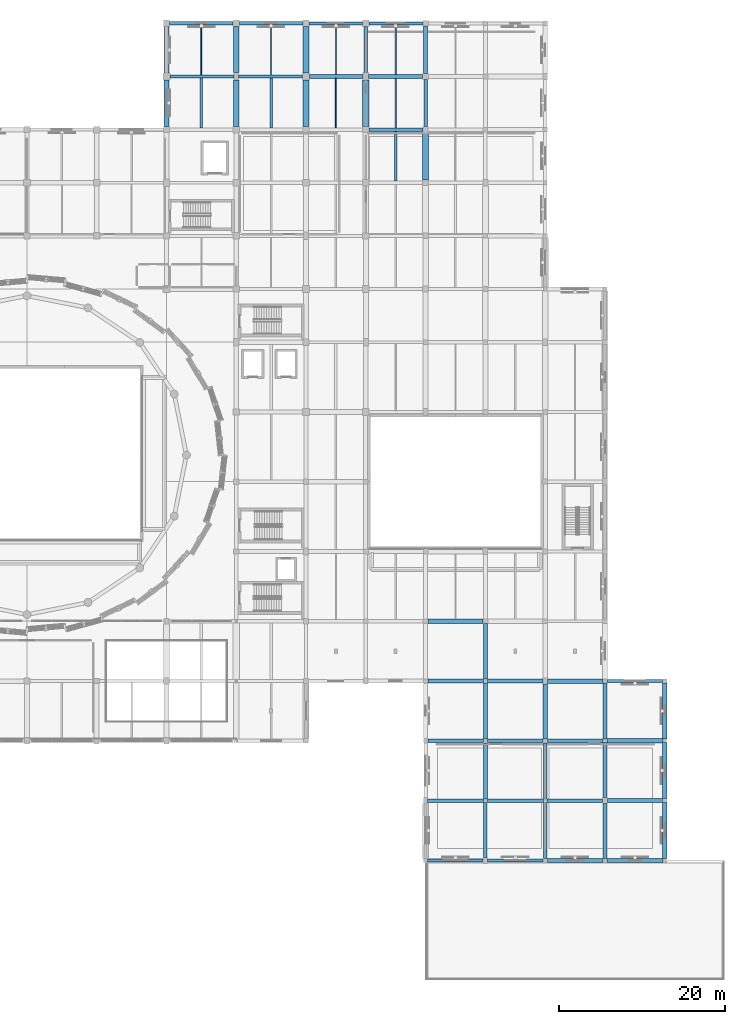
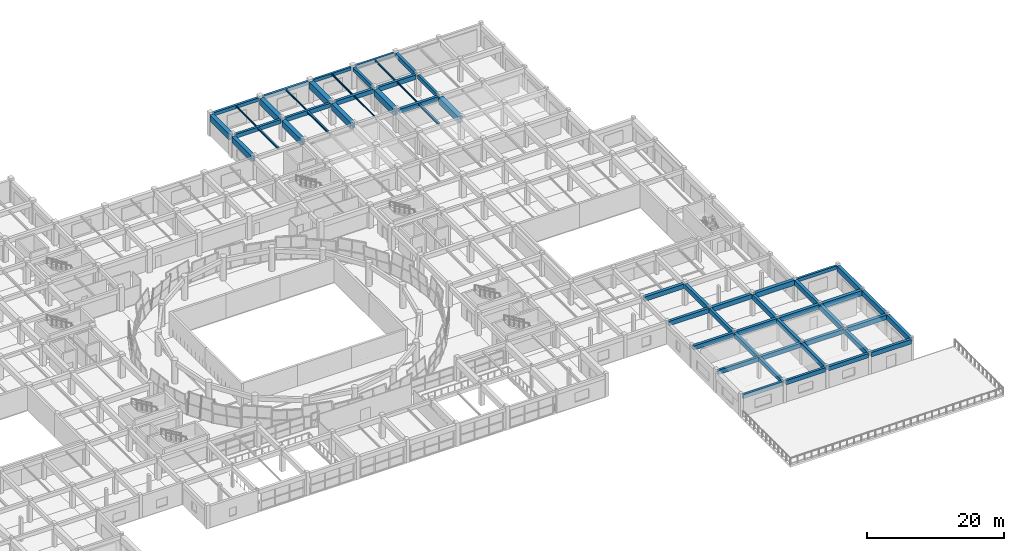
# One storey, part 38 of 71: 59 beams.
"""IFC4 building model written with IfcOpenShell, lengths in metres."""

import ifcopenshell
import ifcopenshell.guid

model = None  # the IFC model being written
_history = None  # IfcOwnerHistory: only IFC2X3 demands one
_inside = {}  # id of a spatial element -> (the spatial element, [elements in it])
_under = {}  # id of a project, library or spatial element -> (it, [spatial elements below it])
_declared = {}  # id of a project -> (the project, [libraries it declares])
_typed = {}  # id of a type object -> (the type object, [elements of that type])
_made_of = {}  # id of a material, layer set ... -> (it, [elements and type objects made of it])


def new_model(schema):
    """Start an empty IFC model of exactly this schema.

    Asked for "IFC4X3", IfcOpenShell would pick the latest addendum, in which some entities
    have other attributes; the version numbers below select the first issue.
    IFC2X3 requires an IfcOwnerHistory on every rooted entity: one is made here for all.
    """
    global model, _history
    if schema == "IFC4X3":
        model = ifcopenshell.file(schema_version=(4, 3, 0, 0))
    else:
        model = ifcopenshell.file(schema=schema)
    _inside.clear()
    _under.clear()
    _declared.clear()
    _typed.clear()
    _made_of.clear()
    _history = None
    if model.schema == "IFC2X3":
        org = make("IfcOrganization", Name="unknown")
        user = make(
            "IfcPersonAndOrganization",
            ThePerson=make("IfcPerson", FamilyName="unknown"),
            TheOrganization=org,
        )
        app = make(
            "IfcApplication",
            ApplicationDeveloper=org,
            Version="unknown",
            ApplicationFullName="unknown",
            ApplicationIdentifier="unknown",
        )
        _history = make(
            "IfcOwnerHistory",
            OwningUser=user,
            OwningApplication=app,
            ChangeAction="ADDED",
            CreationDate=0,
        )
    return model


def make(cls, **values):
    """One entity of the class cls with the attributes given. An attribute that is None is left unset."""
    return model.create_entity(
        cls, **{name: value for name, value in values.items() if value is not None}
    )


def rooted(cls, **values):
    """An entity with a GlobalId (a new one), such as an element, a storey or a relation."""
    return make(cls, GlobalId=ifcopenshell.guid.new(), OwnerHistory=_history, **values)


def si_unit(unit_type, name, prefix=None):
    """IfcSIUnit, for example si_unit("LENGTHUNIT", "METRE", prefix="MILLI")."""
    return make("IfcSIUnit", UnitType=unit_type, Prefix=prefix, Name=name)


def assignment(units):
    """IfcUnitAssignment: the units of a project."""
    return None if units is None else make("IfcUnitAssignment", Units=units)


def point(xyz):
    """IfcCartesianPoint."""
    return None if xyz is None else make("IfcCartesianPoint", Coordinates=xyz)


def direction(xyz):
    """IfcDirection."""
    return None if xyz is None else make("IfcDirection", DirectionRatios=xyz)


def frame(location, z_axis=None, x_axis=None):
    """IfcAxis2Placement3D, a coordinate frame: its origin and axes. An axis left out is left unset."""
    return make(
        "IfcAxis2Placement3D",
        Location=point(location),
        Axis=direction(z_axis),
        RefDirection=direction(x_axis),
    )


def frame_2d(location, x_axis=None):
    """IfcAxis2Placement2D, a coordinate frame in the plane: its origin and x axis."""
    return make(
        "IfcAxis2Placement2D", Location=point(location), RefDirection=direction(x_axis)
    )


def origin():
    """The frame at (0, 0, 0) with its axes left unset."""
    return frame((0.0, 0.0, 0.0))


def origin_2d():
    """The frame at (0, 0) in the plane with its x axis left unset."""
    return frame_2d((0.0, 0.0))


def place(relative_to, where):
    """IfcLocalPlacement: puts the frame where relative to a parent placement (None: the world)."""
    return make(
        "IfcLocalPlacement", PlacementRelTo=relative_to, RelativePlacement=where
    )


def context(
    kind, dimensions, precision=None, world=None, true_north=None, identifier=None
):
    """IfcGeometricRepresentationContext, for example the 3D "Model" context."""
    return make(
        "IfcGeometricRepresentationContext",
        ContextIdentifier=identifier,
        ContextType=kind,
        CoordinateSpaceDimension=dimensions,
        Precision=precision,
        WorldCoordinateSystem=world,
        TrueNorth=true_north,
    )


def subcontext(parent, identifier, kind, view, scale=None):
    """IfcGeometricRepresentationSubContext, for example "Body" below "Model"."""
    return make(
        "IfcGeometricRepresentationSubContext",
        ContextIdentifier=identifier,
        ContextType=kind,
        ParentContext=parent,
        TargetScale=scale,
        TargetView=view,
    )


def project(units=None, contexts=None):
    """IfcProject with its units and contexts."""
    return rooted(
        "IfcProject",
        Name="project",
        RepresentationContexts=contexts,
        UnitsInContext=assignment(units),
    )


def spatial(cls, under=None, at=None, **own):
    """A site, building, storey or space (cls), placed at a placement, below another one or the project."""
    s = rooted(cls, ObjectPlacement=at, **own)
    if under is not None:
        _under.setdefault(under.id(), (under, []))[1].append(s)
    return s


def profile(cls, at=None, kind="AREA", **sizes):
    """A parametric profile (cls). Its sizes go by their IFC names, for example OverallWidth=200.0."""
    return make(cls, ProfileType=kind, Position=at, **sizes)


def rectangle(**sizes):
    """IfcRectangleProfileDef."""
    return profile("IfcRectangleProfileDef", **sizes)


def i_section(**sizes):
    """IfcIShapeProfileDef."""
    return profile("IfcIShapeProfileDef", **sizes)


def extrude(swept, where, along, depth):
    """IfcExtrudedAreaSolid: the profile swept, set in the frame where, extruded along a direction by depth."""
    return make(
        "IfcExtrudedAreaSolid",
        SweptArea=swept,
        Position=where,
        ExtrudedDirection=direction(along),
        Depth=depth,
    )


def shape(context_of_items, identifier, shape_type, items):
    """IfcShapeRepresentation: the items that make up one representation, for example the "Body"."""
    return make(
        "IfcShapeRepresentation",
        ContextOfItems=context_of_items,
        RepresentationIdentifier=identifier,
        RepresentationType=shape_type,
        Items=items,
    )


def material(Name=None, Category=None):
    """IfcMaterial."""
    return make("IfcMaterial", Name=Name, Category=Category)


def material_profile(
    of_material, cross_section, Name=None, Category=None, Priority=None
):
    """IfcMaterialProfile: a cross section and its material."""
    return make(
        "IfcMaterialProfile",
        Name=Name,
        Material=of_material,
        Profile=cross_section,
        Priority=Priority,
        Category=Category,
    )


def profile_set(profiles, Name=None, composite=None):
    """IfcMaterialProfileSet."""
    return make(
        "IfcMaterialProfileSet",
        Name=Name,
        MaterialProfiles=profiles,
        CompositeProfile=composite,
    )


def made_of(thing, what):
    """Note that an element or type object is made of a material, layer set ...; save() writes the relation."""
    if what is not None:
        _made_of.setdefault(what.id(), (what, []))[1].append(thing)
    return thing


def type_object(cls, material=None, **own):
    """A type object (cls), such as IfcWallType, which elements share."""
    return made_of(rooted(cls, **own), material)


def element(
    cls,
    number,
    at=None,
    inside=None,
    cuts=None,
    type_object=None,
    material=None,
    context=None,
    identifier="Body",
    shape_type=None,
    held_by="IfcProductDefinitionShape",
    body=None,
    shapes=None,
    **own,
):
    """One element of the class cls, such as IfcWall. Its Tag is "e" and its number.

    at: its placement. inside: the storey or other place that contains it. cuts: it is an
    opening in that element (IfcRelVoidsElement). A single representation is given by context,
    identifier, shape_type and body (its items); several are given by shapes. held_by: the class
    of the entity that holds the representations. save() writes the other relations.
    """
    e = rooted(cls, Tag="e%d" % number, ObjectPlacement=at, **own)
    if body is not None:
        shapes = [shape(context, identifier, shape_type, body)]
    if shapes is not None:
        e.Representation = make(held_by, Representations=shapes)
    if inside is not None:
        _inside.setdefault(inside.id(), (inside, []))[1].append(e)
    if cuts is not None:
        rooted(
            "IfcRelVoidsElement", RelatingBuildingElement=cuts, RelatedOpeningElement=e
        )
    if type_object is not None:
        _typed.setdefault(type_object.id(), (type_object, []))[1].append(e)
    return made_of(e, material)


def aggregate(whole, parts):
    """IfcRelAggregates: a whole, such as a stair, and the parts it consists of."""
    return rooted("IfcRelAggregates", RelatingObject=whole, RelatedObjects=parts)


def save(model, path):
    """Write the relations noted so far, then the file.

    IfcRelAggregates (storeys below a building ...), IfcRelContainedInSpatialStructure (elements
    in a storey), IfcRelDefinesByType, IfcRelAssociatesMaterial and IfcRelDeclares: one each for
    every whole, place, type object, material and project.
    """
    for whole, parts in _under.values():
        aggregate(whole, parts)
    for where, things in _inside.values():
        rooted(
            "IfcRelContainedInSpatialStructure",
            RelatedElements=things,
            RelatingStructure=where,
        )
    for kind, things in _typed.values():
        rooted("IfcRelDefinesByType", RelatedObjects=things, RelatingType=kind)
    for what, things in _made_of.values():
        rooted("IfcRelAssociatesMaterial", RelatedObjects=things, RelatingMaterial=what)
    for by, libraries in _declared.values():
        rooted("IfcRelDeclares", RelatingContext=by, RelatedDefinitions=libraries)
    model.write(path)


model = new_model("IFC4")

# Units and contexts
model_context = context("Model", 3, precision=1e-05, world=origin(), true_north=direction((0.0, 1.0)))
body_context = subcontext(model_context, "Body", "Model", "MODEL_VIEW")
ifc_project = project(units=[si_unit("LENGTHUNIT", "METRE"), si_unit("AREAUNIT", "SQUARE_METRE"), si_unit("VOLUMEUNIT", "CUBIC_METRE"), si_unit("PLANEANGLEUNIT", "RADIAN"), si_unit("MASSUNIT", "GRAM", prefix="KILO")], contexts=[model_context])

# Site, building, storey
site_placement = place(None, origin())
site = spatial("IfcSite", under=ifc_project, at=site_placement, CompositionType="ELEMENT")
building_placement = place(site_placement, origin())
building = spatial("IfcBuilding", under=site, at=building_placement, Name="Korsvaeld Concert Hall", CompositionType="ELEMENT")
storey_placement = place(building_placement, frame((0.0, 0.0, 4.800048828125)))
storey = spatial("IfcBuildingStorey", under=building, at=storey_placement, Name="L01", CompositionType="ELEMENT", Elevation=4.800048828125)

# Beams
ifc_material_1 = material(Name="Concrete C35/45", Category="concrete")
ifc_material_profile_1 = material_profile(ifc_material_1, rectangle(XDim=0.35009765625, YDim=0.60009765625, at=origin_2d()), Name="RC 350x600")
ifc_profile_set_1 = profile_set([ifc_material_profile_1], Name="Concrete C35/45")
beam_type_1 = type_object("IfcBeamType", Name="BM-RC-350x600", PredefinedType="T_BEAM", material=ifc_profile_set_1)
beam_1_placement = place(storey_placement, frame((153.85009765625, 36.0, 3.5400390625), z_axis=(1.0, 0.0, 0.0), x_axis=(0.0, 1.0, 0.0)))
element("IfcBeam", 1, at=beam_1_placement, inside=storey, type_object=beam_type_1, Name="Primary girder 21-22/F L01", PredefinedType="T_BEAM", context=body_context, shape_type="SweptSolid", body=[
    extrude(rectangle(XDim=0.35009765625, YDim=0.60009765625, at=origin_2d()), origin(), (0.0, 0.0, 1.0), 6.699951171875),
])
ifc_material_profile_2 = material_profile(ifc_material_1, rectangle(XDim=0.39990234375, YDim=0.699951171875, at=origin_2d()), Name="RC 400x700")
ifc_profile_set_2 = profile_set([ifc_material_profile_2], Name="Concrete C35/45")
beam_type_2 = type_object("IfcBeamType", Name="BM-RC-400x700", PredefinedType="T_BEAM", material=ifc_profile_set_2)
beam_2_placement = place(storey_placement, frame((132.25, 14.39990234375, 3.489990234375), z_axis=(1.0, 0.0, 0.0), x_axis=(0.0, 1.0, 0.0)))
element("IfcBeam", 2, at=beam_2_placement, inside=storey, type_object=beam_type_2, Name="Primary girder 18-19/C L01", PredefinedType="T_BEAM", context=body_context, shape_type="SweptSolid", body=[
    extrude(rectangle(XDim=0.39990234375, YDim=0.699951171875, at=origin_2d()), origin(), (0.0, 0.0, 1.0), 6.675048828125),
])
beam_3_placement = place(storey_placement, frame((101.199951171875, 108.800048828125, 3.489990234375), z_axis=(1.0, 0.0, 0.0), x_axis=(0.0, 1.0, 0.0)))
element("IfcBeam", 3, at=beam_3_placement, inside=storey, type_object=beam_type_2, Name="Primary girder 14-15/R L01", PredefinedType="T_BEAM", context=body_context, shape_type="SweptSolid", body=[
    extrude(rectangle(XDim=0.39990234375, YDim=0.699951171875, at=origin_2d()), origin(), (0.0, 0.0, 1.0), 7.699951171875),
])
beam_4_placement = place(storey_placement, frame((124.800048828125, 109.25, 3.489990234375), z_axis=(0.0, 1.0, 0.0), x_axis=(-1.0, 0.0, 0.0)))
element("IfcBeam", 4, at=beam_4_placement, inside=storey, type_object=beam_type_2, Name="Primary girder 17/R-S L01", PredefinedType="T_BEAM", context=body_context, shape_type="SweptSolid", body=[
    extrude(rectangle(XDim=0.39990234375, YDim=0.699951171875, at=origin_2d()), origin(), (0.0, 0.0, 1.0), 5.574951171875),
])
beam_5_placement = place(storey_placement, frame((132.0, 102.800048828125, 3.489990234375), z_axis=(0.0, 1.0, 0.0), x_axis=(-1.0, 0.0, 0.0)))
element("IfcBeam", 5, at=beam_5_placement, inside=storey, type_object=beam_type_2, Name="Primary girder 18/Q-R L01", PredefinedType="T_BEAM", context=body_context, shape_type="SweptSolid", body=[
    extrude(rectangle(XDim=0.39990234375, YDim=0.699951171875, at=origin_2d()), origin(), (0.0, 0.0, 1.0), 5.64990234375),
])
beam_6_placement = place(storey_placement, frame((139.199951171875, 14.77490234375, 3.489990234375), z_axis=(0.0, 1.0, 0.0), x_axis=(-1.0, 0.0, 0.0)))
element("IfcBeam", 6, at=beam_6_placement, inside=storey, type_object=beam_type_2, Name="Primary girder 19/C-D L01", PredefinedType="T_BEAM", context=body_context, shape_type="SweptSolid", body=[
    extrude(rectangle(XDim=0.39990234375, YDim=0.699951171875, at=origin_2d()), origin(), (0.0, 0.0, 1.0), 6.60009765625),
])
ifc_material_profile_3 = material_profile(ifc_material_1, rectangle(XDim=0.39990234375, YDim=0.75, at=origin_2d()), Name="RC 400x750")
ifc_profile_set_3 = profile_set([ifc_material_profile_3], Name="Concrete C35/45")
beam_type_3 = type_object("IfcBeamType", Name="BM-RC-400x750", PredefinedType="T_BEAM", material=ifc_profile_set_3)
beam_7_placement = place(storey_placement, frame((139.47509765625, 14.39990234375, 3.46484375), z_axis=(1.0, 0.0, 0.0), x_axis=(0.0, 1.0, 0.0)))
element("IfcBeam", 7, at=beam_7_placement, inside=storey, type_object=beam_type_3, Name="Primary girder 19-20/C L01", PredefinedType="T_BEAM", context=body_context, shape_type="SweptSolid", body=[
    extrude(rectangle(XDim=0.39990234375, YDim=0.75, at=origin_2d()), origin(), (0.0, 0.0, 1.0), 6.6748046875),
])
beam_8_placement = place(storey_placement, frame((132.25, 21.60009765625, 3.46484375), z_axis=(1.0, 0.0, 0.0), x_axis=(0.0, 1.0, 0.0)))
element("IfcBeam", 8, at=beam_8_placement, inside=storey, type_object=beam_type_3, Name="Primary girder 18-19/D L01", PredefinedType="T_BEAM", context=body_context, shape_type="SweptSolid", body=[
    extrude(rectangle(XDim=0.39990234375, YDim=0.75, at=origin_2d()), origin(), (0.0, 0.0, 1.0), 6.72509765625),
])
beam_9_placement = place(storey_placement, frame((109.5, 108.800048828125, 3.46484375), z_axis=(1.0, 0.0, 0.0), x_axis=(0.0, 1.0, 0.0)))
element("IfcBeam", 9, at=beam_9_placement, inside=storey, type_object=beam_type_3, Name="Primary girder 15-16/R L01", PredefinedType="T_BEAM", context=body_context, shape_type="SweptSolid", body=[
    extrude(rectangle(XDim=0.39990234375, YDim=0.75, at=origin_2d()), origin(), (0.0, 0.0, 1.0), 7.699951171875),
])
ifc_material_profile_4 = material_profile(ifc_material_1, rectangle(XDim=0.449951171875, YDim=0.75, at=origin_2d()), Name="RC 450x750")
ifc_profile_set_4 = profile_set([ifc_material_profile_4], Name="Concrete C35/45")
beam_type_4 = type_object("IfcBeamType", Name="BM-RC-450x750", PredefinedType="T_BEAM", material=ifc_profile_set_4)
beam_10_placement = place(storey_placement, frame((146.64990234375, 14.39990234375, 3.46484375), z_axis=(1.0, 0.0, 0.0), x_axis=(0.0, 1.0, 0.0)))
element("IfcBeam", 10, at=beam_10_placement, inside=storey, type_object=beam_type_4, Name="Primary girder 20-21/C L01", PredefinedType="T_BEAM", context=body_context, shape_type="SweptSolid", body=[
    extrude(rectangle(XDim=0.449951171875, YDim=0.75, at=origin_2d()), origin(), (0.0, 0.0, 1.0), 6.72509765625),
])
beam_11_placement = place(storey_placement, frame((139.425048828125, 21.60009765625, 3.46484375), z_axis=(1.0, 0.0, 0.0), x_axis=(0.0, 1.0, 0.0)))
element("IfcBeam", 11, at=beam_11_placement, inside=storey, type_object=beam_type_4, Name="Primary girder 19-20/D L01", PredefinedType="T_BEAM", context=body_context, shape_type="SweptSolid", body=[
    extrude(rectangle(XDim=0.449951171875, YDim=0.75, at=origin_2d()), origin(), (0.0, 0.0, 1.0), 6.75),
])
beam_12_placement = place(storey_placement, frame((132.27490234375, 28.800048828125, 3.46484375), z_axis=(1.0, 0.0, 0.0), x_axis=(0.0, 1.0, 0.0)))
element("IfcBeam", 12, at=beam_12_placement, inside=storey, type_object=beam_type_4, Name="Primary girder 18-19/E L01", PredefinedType="T_BEAM", context=body_context, shape_type="SweptSolid", body=[
    extrude(rectangle(XDim=0.449951171875, YDim=0.75, at=origin_2d()), origin(), (0.0, 0.0, 1.0), 6.675048828125),
])
beam_13_placement = place(storey_placement, frame((125.175048828125, 102.39990234375, 3.46484375), z_axis=(1.0, 0.0, 0.0), x_axis=(0.0, 1.0, 0.0)))
element("IfcBeam", 13, at=beam_13_placement, inside=storey, type_object=beam_type_4, Name="Primary girder 17-18/Q L01", PredefinedType="T_BEAM", context=body_context, shape_type="SweptSolid", body=[
    extrude(rectangle(XDim=0.449951171875, YDim=0.75, at=origin_2d()), origin(), (0.0, 0.0, 1.0), 6.52490234375),
])
beam_14_placement = place(storey_placement, frame((118.0, 108.800048828125, 3.46484375), z_axis=(1.0, 0.0, 0.0), x_axis=(0.0, 1.0, 0.0)))
element("IfcBeam", 14, at=beam_14_placement, inside=storey, type_object=beam_type_4, Name="Primary girder 16-17/R L01", PredefinedType="T_BEAM", context=body_context, shape_type="SweptSolid", body=[
    extrude(rectangle(XDim=0.449951171875, YDim=0.75, at=origin_2d()), origin(), (0.0, 0.0, 1.0), 6.449951171875),
])
ifc_material_profile_5 = material_profile(ifc_material_1, rectangle(XDim=0.449951171875, YDim=0.800048828125, at=origin_2d()), Name="RC 450x800")
ifc_profile_set_5 = profile_set([ifc_material_profile_5], Name="Concrete C35/45")
beam_type_5 = type_object("IfcBeamType", Name="BM-RC-450x800", PredefinedType="T_BEAM", material=ifc_profile_set_5)
beam_15_placement = place(storey_placement, frame((153.824951171875, 14.39990234375, 3.43994140625), z_axis=(1.0, 0.0, 0.0), x_axis=(0.0, 1.0, 0.0)))
element("IfcBeam", 15, at=beam_15_placement, inside=storey, type_object=beam_type_5, Name="Primary girder 21-22/C L01", PredefinedType="T_BEAM", context=body_context, shape_type="SweptSolid", body=[
    extrude(rectangle(XDim=0.449951171875, YDim=0.800048828125, at=origin_2d()), origin(), (0.0, 0.0, 1.0), 6.75),
])
for number, where, z_axis, x_axis, name in (
    (16, (146.625, 21.60009765625, 3.43994140625), (1.0, 0.0, 0.0), (0.0, 1.0, 0.0), "Primary girder 20-21/D L01"),
    (17, (139.449951171875, 28.800048828125, 3.43994140625), (1.0, 0.0, 0.0), (0.0, 1.0, 0.0), "Primary girder 19-20/E L01"),
):
    element("IfcBeam", number, at=place(storey_placement, frame(where, z_axis=z_axis, x_axis=x_axis)), inside=storey, type_object=beam_type_5, Name=name, PredefinedType="T_BEAM", context=body_context, shape_type="SweptSolid", body=[
        extrude(rectangle(XDim=0.449951171875, YDim=0.800048828125, at=origin_2d()), origin(), (0.0, 0.0, 1.0), 6.699951171875),
    ])
beam_16_placement = place(storey_placement, frame((132.27490234375, 36.0, 3.43994140625), z_axis=(1.0, 0.0, 0.0), x_axis=(0.0, 1.0, 0.0)))
element("IfcBeam", 18, at=beam_16_placement, inside=storey, type_object=beam_type_5, Name="Primary girder 18-19/F L01", PredefinedType="T_BEAM", context=body_context, shape_type="SweptSolid", body=[
    extrude(rectangle(XDim=0.449951171875, YDim=0.800048828125, at=origin_2d()), origin(), (0.0, 0.0, 1.0), 6.7001953125),
])
beam_17_placement = place(storey_placement, frame((125.14990234375, 108.800048828125, 3.43994140625), z_axis=(1.0, 0.0, 0.0), x_axis=(0.0, 1.0, 0.0)))
element("IfcBeam", 19, at=beam_17_placement, inside=storey, type_object=beam_type_5, Name="Primary girder 17-18/R L01", PredefinedType="T_BEAM", context=body_context, shape_type="SweptSolid", body=[
    extrude(rectangle(XDim=0.449951171875, YDim=0.800048828125, at=origin_2d()), origin(), (0.0, 0.0, 1.0), 6.5),
])
beam_18_placement = place(storey_placement, frame((132.0, 109.14990234375, 3.43994140625), z_axis=(0.0, 1.0, 0.0), x_axis=(-1.0, 0.0, 0.0)))
element("IfcBeam", 20, at=beam_18_placement, inside=storey, type_object=beam_type_5, Name="Primary girder 18/R-S L01", PredefinedType="T_BEAM", context=body_context, shape_type="SweptSolid", body=[
    extrude(rectangle(XDim=0.449951171875, YDim=0.800048828125, at=origin_2d()), origin(), (0.0, 0.0, 1.0), 5.72509765625),
])
for number, where, z_axis, x_axis, name in (
    (21, (139.199951171875, 21.824951171875, 3.43994140625), (0.0, 1.0, 0.0), (-1.0, 0.0, 0.0), "Primary girder 19/D-E L01"),
    (22, (146.39990234375, 14.64990234375, 3.43994140625), (0.0, 1.0, 0.0), (-1.0, 0.0, 0.0), "Primary girder 20/C-D L01"),
):
    element("IfcBeam", number, at=place(storey_placement, frame(where, z_axis=z_axis, x_axis=x_axis)), inside=storey, type_object=beam_type_5, Name=name, PredefinedType="T_BEAM", context=body_context, shape_type="SweptSolid", body=[
        extrude(rectangle(XDim=0.449951171875, YDim=0.800048828125, at=origin_2d()), origin(), (0.0, 0.0, 1.0), 6.72509765625),
    ])
ifc_material_2 = material(Name="Concrete C40/50", Category="concrete")
ifc_material_profile_6 = material_profile(ifc_material_2, rectangle(XDim=0.449951171875, YDim=0.85009765625, at=origin_2d()), Name="RC 450x850")
ifc_profile_set_6 = profile_set([ifc_material_profile_6], Name="Concrete C40/50")
beam_type_6 = type_object("IfcBeamType", Name="BM-RC-450x850", PredefinedType="T_BEAM", material=ifc_profile_set_6)
beam_19_placement = place(storey_placement, frame((139.199951171875, 29.050048828125, 3.4150390625), z_axis=(0.0, 1.0, 0.0), x_axis=(-1.0, 0.0, 0.0)))
element("IfcBeam", 23, at=beam_19_placement, inside=storey, type_object=beam_type_6, Name="Primary girder 19/E-F L01", PredefinedType="T_BEAM", context=body_context, shape_type="SweptSolid", body=[
    extrude(rectangle(XDim=0.449951171875, YDim=0.85009765625, at=origin_2d()), origin(), (0.0, 0.0, 1.0), 6.724853515625),
])
beam_20_placement = place(storey_placement, frame((146.39990234375, 21.824951171875, 3.4150390625), z_axis=(0.0, 1.0, 0.0), x_axis=(-1.0, 0.0, 0.0)))
element("IfcBeam", 24, at=beam_20_placement, inside=storey, type_object=beam_type_6, Name="Primary girder 20/D-E L01", PredefinedType="T_BEAM", context=body_context, shape_type="SweptSolid", body=[
    extrude(rectangle(XDim=0.449951171875, YDim=0.85009765625, at=origin_2d()), origin(), (0.0, 0.0, 1.0), 6.72509765625),
])
beam_21_placement = place(storey_placement, frame((153.60009765625, 14.625, 3.4150390625), z_axis=(0.0, 1.0, 0.0), x_axis=(-1.0, 0.0, 0.0)))
element("IfcBeam", 25, at=beam_21_placement, inside=storey, type_object=beam_type_6, Name="Primary girder 21/C-D L01", PredefinedType="T_BEAM", context=body_context, shape_type="SweptSolid", body=[
    extrude(rectangle(XDim=0.449951171875, YDim=0.85009765625, at=origin_2d()), origin(), (0.0, 0.0, 1.0), 6.60009765625),
])
ifc_material_profile_7 = material_profile(ifc_material_2, rectangle(XDim=0.5, YDim=0.800048828125, at=origin_2d()), Name="RC 500x800")
ifc_profile_set_7 = profile_set([ifc_material_profile_7], Name="Concrete C40/50")
beam_type_7 = type_object("IfcBeamType", Name="BM-RC-500x800", PredefinedType="T_BEAM", material=ifc_profile_set_7)
beam_22_placement = place(storey_placement, frame((153.875, 21.60009765625, 3.43994140625), z_axis=(1.0, 0.0, 0.0), x_axis=(0.0, 1.0, 0.0)))
element("IfcBeam", 26, at=beam_22_placement, inside=storey, type_object=beam_type_7, Name="Primary girder 21-22/D L01", PredefinedType="T_BEAM", context=body_context, shape_type="SweptSolid", body=[
    extrude(rectangle(XDim=0.5, YDim=0.800048828125, at=origin_2d()), origin(), (0.0, 0.0, 1.0), 6.675048828125),
])
beam_23_placement = place(storey_placement, frame((146.64990234375, 28.800048828125, 3.43994140625), z_axis=(1.0, 0.0, 0.0), x_axis=(0.0, 1.0, 0.0)))
element("IfcBeam", 27, at=beam_23_placement, inside=storey, type_object=beam_type_7, Name="Primary girder 20-21/E L01", PredefinedType="T_BEAM", context=body_context, shape_type="SweptSolid", body=[
    extrude(rectangle(XDim=0.5, YDim=0.800048828125, at=origin_2d()), origin(), (0.0, 0.0, 1.0), 6.72509765625),
])
beam_24_placement = place(storey_placement, frame((139.425048828125, 36.0, 3.43994140625), z_axis=(1.0, 0.0, 0.0), x_axis=(0.0, 1.0, 0.0)))
element("IfcBeam", 28, at=beam_24_placement, inside=storey, type_object=beam_type_7, Name="Primary girder 19-20/F L01", PredefinedType="T_BEAM", context=body_context, shape_type="SweptSolid", body=[
    extrude(rectangle(XDim=0.5, YDim=0.800048828125, at=origin_2d()), origin(), (0.0, 0.0, 1.0), 6.724853515625),
])
beam_25_placement = place(storey_placement, frame((132.300048828125, 43.199951171875, 3.43994140625), z_axis=(1.0, 0.0, 0.0), x_axis=(0.0, 1.0, 0.0)))
element("IfcBeam", 29, at=beam_25_placement, inside=storey, type_object=beam_type_7, Name="Primary girder 18-19/G L01", PredefinedType="T_BEAM", context=body_context, shape_type="SweptSolid", body=[
    extrude(rectangle(XDim=0.5, YDim=0.800048828125, at=origin_2d()), origin(), (0.0, 0.0, 1.0), 6.599853515625),
])
ifc_material_profile_8 = material_profile(ifc_material_2, rectangle(XDim=0.5, YDim=0.85009765625, at=origin_2d()), Name="RC 500x850")
ifc_profile_set_8 = profile_set([ifc_material_profile_8], Name="Concrete C40/50")
beam_type_8 = type_object("IfcBeamType", Name="BM-RC-500x850", PredefinedType="T_BEAM", material=ifc_profile_set_8)
beam_26_placement = place(storey_placement, frame((139.199951171875, 36.22509765625, 3.4150390625), z_axis=(0.0, 1.0, 0.0), x_axis=(-1.0, 0.0, 0.0)))
element("IfcBeam", 30, at=beam_26_placement, inside=storey, type_object=beam_type_8, Name="Primary girder 19/F-G L01", PredefinedType="T_BEAM", context=body_context, shape_type="SweptSolid", body=[
    extrude(rectangle(XDim=0.5, YDim=0.85009765625, at=origin_2d()), origin(), (0.0, 0.0, 1.0), 6.6748046875),
])
for number, where, z_axis, x_axis, name in (
    (31, (146.39990234375, 29.050048828125, 3.4150390625), (0.0, 1.0, 0.0), (-1.0, 0.0, 0.0), "Primary girder 20/E-F L01"),
    (32, (153.60009765625, 21.97509765625, 3.4150390625), (0.0, 1.0, 0.0), (-1.0, 0.0, 0.0), "Primary girder 21/D-E L01"),
):
    element("IfcBeam", number, at=place(storey_placement, frame(where, z_axis=z_axis, x_axis=x_axis)), inside=storey, type_object=beam_type_8, Name=name, PredefinedType="T_BEAM", context=body_context, shape_type="SweptSolid", body=[
        extrude(rectangle(XDim=0.5, YDim=0.85009765625, at=origin_2d()), origin(), (0.0, 0.0, 1.0), 6.599853515625),
    ])
beam_27_placement = place(storey_placement, frame((160.800048828125, 14.625, 3.4150390625), z_axis=(0.0, 1.0, 0.0), x_axis=(-1.0, 0.0, 0.0)))
element("IfcBeam", 33, at=beam_27_placement, inside=storey, type_object=beam_type_8, Name="Primary girder 22/C-D L01", PredefinedType="T_BEAM", context=body_context, shape_type="SweptSolid", body=[
    extrude(rectangle(XDim=0.5, YDim=0.85009765625, at=origin_2d()), origin(), (0.0, 0.0, 1.0), 6.72509765625),
])
ifc_material_profile_9 = material_profile(ifc_material_2, rectangle(XDim=0.5, YDim=0.89990234375, at=origin_2d()), Name="RC 500x900")
ifc_profile_set_9 = profile_set([ifc_material_profile_9], Name="Concrete C40/50")
beam_type_9 = type_object("IfcBeamType", Name="BM-RC-500x900", PredefinedType="T_BEAM", material=ifc_profile_set_9)
beam_28_placement = place(storey_placement, frame((153.60009765625, 29.02490234375, 3.389892578125), z_axis=(0.0, 1.0, 0.0), x_axis=(-1.0, 0.0, 0.0)))
element("IfcBeam", 34, at=beam_28_placement, inside=storey, type_object=beam_type_9, Name="Primary girder 21/E-F L01", PredefinedType="T_BEAM", context=body_context, shape_type="SweptSolid", body=[
    extrude(rectangle(XDim=0.5, YDim=0.89990234375, at=origin_2d()), origin(), (0.0, 0.0, 1.0), 6.72509765625),
])
beam_29_placement = place(storey_placement, frame((160.800048828125, 21.85009765625, 3.389892578125), z_axis=(0.0, 1.0, 0.0), x_axis=(-1.0, 0.0, 0.0)))
element("IfcBeam", 35, at=beam_29_placement, inside=storey, type_object=beam_type_9, Name="Primary girder 22/D-E L01", PredefinedType="T_BEAM", context=body_context, shape_type="SweptSolid", body=[
    extrude(rectangle(XDim=0.5, YDim=0.89990234375, at=origin_2d()), origin(), (0.0, 0.0, 1.0), 6.724853515625),
])
ifc_material_profile_10 = material_profile(ifc_material_2, rectangle(XDim=0.550048828125, YDim=0.89990234375, at=origin_2d()), Name="RC 550x900")
ifc_profile_set_10 = profile_set([ifc_material_profile_10], Name="Concrete C40/50")
beam_type_10 = type_object("IfcBeamType", Name="BM-RC-550x900", PredefinedType="T_BEAM", material=ifc_profile_set_10)
beam_30_placement = place(storey_placement, frame((153.824951171875, 28.800048828125, 3.389892578125), z_axis=(1.0, 0.0, 0.0), x_axis=(0.0, 1.0, 0.0)))
element("IfcBeam", 36, at=beam_30_placement, inside=storey, type_object=beam_type_10, Name="Primary girder 21-22/E L01", PredefinedType="T_BEAM", context=body_context, shape_type="SweptSolid", body=[
    extrude(rectangle(XDim=0.550048828125, YDim=0.89990234375, at=origin_2d()), origin(), (0.0, 0.0, 1.0), 6.75),
])
beam_31_placement = place(storey_placement, frame((146.64990234375, 36.0, 3.389892578125), z_axis=(1.0, 0.0, 0.0), x_axis=(0.0, 1.0, 0.0)))
element("IfcBeam", 37, at=beam_31_placement, inside=storey, type_object=beam_type_10, Name="Primary girder 20-21/F L01", PredefinedType="T_BEAM", context=body_context, shape_type="SweptSolid", body=[
    extrude(rectangle(XDim=0.550048828125, YDim=0.89990234375, at=origin_2d()), origin(), (0.0, 0.0, 1.0), 6.7001953125),
])
ifc_material_profile_11 = material_profile(ifc_material_2, rectangle(XDim=0.550048828125, YDim=0.949951171875, at=origin_2d()), Name="RC 550x950")
ifc_profile_set_11 = profile_set([ifc_material_profile_11], Name="Concrete C40/50")
beam_type_11 = type_object("IfcBeamType", Name="BM-RC-550x950", PredefinedType="T_BEAM", material=ifc_profile_set_11)
beam_32_placement = place(storey_placement, frame((160.800048828125, 29.02490234375, 3.364990234375), z_axis=(0.0, 1.0, 0.0), x_axis=(-1.0, 0.0, 0.0)))
element("IfcBeam", 38, at=beam_32_placement, inside=storey, type_object=beam_type_11, Name="Primary girder 22/E-F L01", PredefinedType="T_BEAM", context=body_context, shape_type="SweptSolid", body=[
    extrude(rectangle(XDim=0.550048828125, YDim=0.949951171875, at=origin_2d()), origin(), (0.0, 0.0, 1.0), 6.72509765625),
])
ifc_material_profile_12 = material_profile(ifc_material_2, rectangle(XDim=0.60009765625, YDim=1.050048828125, at=origin_2d()), Name="RC 600x1050")
ifc_profile_set_12 = profile_set([ifc_material_profile_12], Name="Concrete C40/50")
beam_type_12 = type_object("IfcBeamType", Name="BM-RC-600x1050", PredefinedType="T_BEAM", material=ifc_profile_set_12)
beam_33_placement = place(storey_placement, frame((100.800048828125, 102.77490234375, 3.31494140625), z_axis=(0.0, 1.0, 0.0), x_axis=(-1.0, 0.0, 0.0)))
element("IfcBeam", 39, at=beam_33_placement, inside=storey, type_object=beam_type_12, Name="Primary girder 14/Q-R L01", PredefinedType="T_BEAM", context=body_context, shape_type="SweptSolid", body=[
    extrude(rectangle(XDim=0.60009765625, YDim=1.050048828125, at=origin_2d()), origin(), (0.0, 0.0, 1.0), 5.625),
])
ifc_material_profile_13 = material_profile(ifc_material_2, rectangle(XDim=0.64990234375, YDim=1.10009765625, at=origin_2d()), Name="RC 650x1100")
ifc_profile_set_13 = profile_set([ifc_material_profile_13], Name="Concrete C40/50")
beam_type_13 = type_object("IfcBeamType", Name="BM-RC-650x1100", PredefinedType="T_BEAM", material=ifc_profile_set_13)
beam_34_placement = place(storey_placement, frame((100.800048828125, 109.199951171875, 3.2900390625), z_axis=(0.0, 1.0, 0.0), x_axis=(-1.0, 0.0, 0.0)))
element("IfcBeam", 40, at=beam_34_placement, inside=storey, type_object=beam_type_13, Name="Primary girder 14/R-S L01", PredefinedType="T_BEAM", context=body_context, shape_type="SweptSolid", body=[
    extrude(rectangle(XDim=0.64990234375, YDim=1.10009765625, at=origin_2d()), origin(), (0.0, 0.0, 1.0), 5.625),
])
beam_35_placement = place(storey_placement, frame((109.199951171875, 102.800048828125, 3.2900390625), z_axis=(0.0, 1.0, 0.0), x_axis=(-1.0, 0.0, 0.0)))
element("IfcBeam", 41, at=beam_35_placement, inside=storey, type_object=beam_type_13, Name="Primary girder 15/Q-R L01", PredefinedType="T_BEAM", context=body_context, shape_type="SweptSolid", body=[
    extrude(rectangle(XDim=0.64990234375, YDim=1.10009765625, at=origin_2d()), origin(), (0.0, 0.0, 1.0), 5.550048828125),
])
ifc_material_profile_14 = material_profile(ifc_material_2, rectangle(XDim=0.699951171875, YDim=1.14990234375, at=origin_2d()), Name="RC 700x1150")
ifc_profile_set_14 = profile_set([ifc_material_profile_14], Name="Concrete C40/50")
beam_type_14 = type_object("IfcBeamType", Name="BM-RC-700x1150", PredefinedType="T_BEAM", material=ifc_profile_set_14)
beam_36_placement = place(storey_placement, frame((109.199951171875, 109.25, 3.264892578125), z_axis=(0.0, 1.0, 0.0), x_axis=(-1.0, 0.0, 0.0)))
element("IfcBeam", 42, at=beam_36_placement, inside=storey, type_object=beam_type_14, Name="Primary girder 15/R-S L01", PredefinedType="T_BEAM", context=body_context, shape_type="SweptSolid", body=[
    extrude(rectangle(XDim=0.699951171875, YDim=1.14990234375, at=origin_2d()), origin(), (0.0, 0.0, 1.0), 5.550048828125),
])
beam_37_placement = place(storey_placement, frame((117.60009765625, 102.77490234375, 3.264892578125), z_axis=(0.0, 1.0, 0.0), x_axis=(-1.0, 0.0, 0.0)))
element("IfcBeam", 43, at=beam_37_placement, inside=storey, type_object=beam_type_14, Name="Primary girder 16/Q-R L01", PredefinedType="T_BEAM", context=body_context, shape_type="SweptSolid", body=[
    extrude(rectangle(XDim=0.699951171875, YDim=1.14990234375, at=origin_2d()), origin(), (0.0, 0.0, 1.0), 5.625),
])
ifc_material_profile_15 = material_profile(ifc_material_2, rectangle(XDim=0.75, YDim=1.199951171875, at=origin_2d()), Name="RC 750x1200")
ifc_profile_set_15 = profile_set([ifc_material_profile_15], Name="Concrete C40/50")
beam_type_15 = type_object("IfcBeamType", Name="BM-RC-750x1200", PredefinedType="T_BEAM", material=ifc_profile_set_15)
beam_38_placement = place(storey_placement, frame((117.60009765625, 109.199951171875, 3.239990234375), z_axis=(0.0, 1.0, 0.0), x_axis=(-1.0, 0.0, 0.0)))
element("IfcBeam", 44, at=beam_38_placement, inside=storey, type_object=beam_type_15, Name="Primary girder 16/R-S L01", PredefinedType="T_BEAM", context=body_context, shape_type="SweptSolid", body=[
    extrude(rectangle(XDim=0.75, YDim=1.199951171875, at=origin_2d()), origin(), (0.0, 0.0, 1.0), 5.625),
])
beam_39_placement = place(storey_placement, frame((124.800048828125, 102.77490234375, 3.239990234375), z_axis=(0.0, 1.0, 0.0), x_axis=(-1.0, 0.0, 0.0)))
element("IfcBeam", 45, at=beam_39_placement, inside=storey, type_object=beam_type_15, Name="Primary girder 17/Q-R L01", PredefinedType="T_BEAM", context=body_context, shape_type="SweptSolid", body=[
    extrude(rectangle(XDim=0.75, YDim=1.199951171875, at=origin_2d()), origin(), (0.0, 0.0, 1.0), 5.5751953125),
])
beam_40_placement = place(storey_placement, frame((132.0, 96.35009765625, 3.239990234375), z_axis=(0.0, 1.0, 0.0), x_axis=(-1.0, 0.0, 0.0)))
element("IfcBeam", 46, at=beam_40_placement, inside=storey, type_object=beam_type_15, Name="Primary girder 18/P-Q L01", PredefinedType="T_BEAM", context=body_context, shape_type="SweptSolid", body=[
    extrude(rectangle(XDim=0.75, YDim=1.199951171875, at=origin_2d()), origin(), (0.0, 0.0, 1.0), 5.64990234375),
])
ifc_material_profile_16 = material_profile(ifc_material_1, rectangle(XDim=0.35009765625, YDim=0.550048828125, at=origin_2d()), Name="RC 350x550")
ifc_profile_set_16 = profile_set([ifc_material_profile_16], Name="Concrete C35/45")
beam_type_16 = type_object("IfcBeamType", Name="BM-SP-350x550", PredefinedType="SPANDREL", material=ifc_profile_set_16)
beam_41_placement = place(storey_placement, frame((117.97509765625, 115.199951171875, 3.56494140625), z_axis=(1.0, 0.0, 0.0), x_axis=(0.0, 1.0, 0.0)))
element("IfcBeam", 47, at=beam_41_placement, inside=storey, type_object=beam_type_16, Name="Primary girder 16-17/S L01", PredefinedType="SPANDREL", context=body_context, shape_type="SweptSolid", body=[
    extrude(rectangle(XDim=0.35009765625, YDim=0.550048828125, at=origin_2d()), origin(), (0.0, 0.0, 1.0), 6.449951171875),
])
beam_42_placement = place(storey_placement, frame((125.175048828125, 115.199951171875, 3.56494140625), z_axis=(1.0, 0.0, 0.0), x_axis=(0.0, 1.0, 0.0)))
element("IfcBeam", 48, at=beam_42_placement, inside=storey, type_object=beam_type_16, Name="Primary girder 17-18/S L01", PredefinedType="SPANDREL", context=body_context, shape_type="SweptSolid", body=[
    extrude(rectangle(XDim=0.35009765625, YDim=0.550048828125, at=origin_2d()), origin(), (0.0, 0.0, 1.0), 6.5),
])
ifc_material_profile_17 = material_profile(ifc_material_1, rectangle(XDim=0.39990234375, YDim=0.60009765625, at=origin_2d()), Name="RC 400x600")
ifc_profile_set_17 = profile_set([ifc_material_profile_17], Name="Concrete C35/45")
beam_type_17 = type_object("IfcBeamType", Name="BM-SP-400x600", PredefinedType="SPANDREL", material=ifc_profile_set_17)
for number, where, z_axis, x_axis, name in (
    (49, (101.175048828125, 115.199951171875, 3.5400390625), (1.0, 0.0, 0.0), (0.0, 1.0, 0.0), "Primary girder 14-15/S L01"),
    (50, (109.60009765625, 115.199951171875, 3.5400390625), (1.0, 0.0, 0.0), (0.0, 1.0, 0.0), "Primary girder 15-16/S L01"),
):
    element("IfcBeam", number, at=place(storey_placement, frame(where, z_axis=z_axis, x_axis=x_axis)), inside=storey, type_object=beam_type_17, Name=name, PredefinedType="SPANDREL", context=body_context, shape_type="SweptSolid", body=[
        extrude(rectangle(XDim=0.39990234375, YDim=0.60009765625, at=origin_2d()), origin(), (0.0, 0.0, 1.0), 7.625),
    ])
ifc_material_3 = material(Name="Steel S355J2", Category="steel")
ifc_material_profile_18 = material_profile(ifc_material_3, i_section(OverallWidth=0.280029296875, OverallDepth=0.27001953125, WebThickness=0.008056640625, FlangeThickness=0.012939453125, FilletRadius=0.02392578125, at=origin_2d()), Name="HEA 280")
ifc_profile_set_18 = profile_set([ifc_material_profile_18], Name="Steel S355J2")
beam_type_18 = type_object("IfcBeamType", Name="BM-STL-HEA280", PredefinedType="BEAM", material=ifc_profile_set_18)
beam_43_placement = place(storey_placement, frame((105.0, 102.60009765625, 3.704833984375), z_axis=(0.0, 1.0, 0.0), x_axis=(-1.0, 0.0, 0.0)))
element("IfcBeam", 51, at=beam_43_placement, inside=storey, type_object=beam_type_18, Name="Secondary steel floor beam 14-15/Q L01", PredefinedType="BEAM", context=body_context, shape_type="SweptSolid", body=[
    extrude(i_section(OverallWidth=0.280029296875, OverallDepth=0.27001953125, WebThickness=0.008056640625, FlangeThickness=0.012939453125, FilletRadius=0.02392578125, at=origin_2d()), origin(), (0.0, 0.0, 1.0), 6.0),
])
ifc_material_profile_19 = material_profile(ifc_material_3, i_section(OverallWidth=0.300048828125, OverallDepth=0.35009765625, WebThickness=0.010009765625, FlangeThickness=0.017578125, FilletRadius=0.027099609375, at=origin_2d()), Name="HEA 360")
ifc_profile_set_19 = profile_set([ifc_material_profile_19], Name="Steel S355J2")
beam_type_19 = type_object("IfcBeamType", Name="BM-STL-HEA360", PredefinedType="BEAM", material=ifc_profile_set_19)
beam_44_placement = place(storey_placement, frame((113.39990234375, 102.60009765625, 3.6650390625), z_axis=(0.0, 1.0, 0.0), x_axis=(-1.0, 0.0, 0.0)))
element("IfcBeam", 52, at=beam_44_placement, inside=storey, type_object=beam_type_19, Name="Secondary steel floor beam 15-16/Q L01", PredefinedType="BEAM", context=body_context, shape_type="SweptSolid", body=[
    extrude(i_section(OverallWidth=0.300048828125, OverallDepth=0.35009765625, WebThickness=0.010009765625, FlangeThickness=0.017578125, FilletRadius=0.027099609375, at=origin_2d()), origin(), (0.0, 0.0, 1.0), 6.0),
])
beam_45_placement = place(storey_placement, frame((128.39990234375, 96.199951171875, 3.6650390625), z_axis=(0.0, 1.0, 0.0), x_axis=(-1.0, 0.0, 0.0)))
element("IfcBeam", 53, at=beam_45_placement, inside=storey, type_object=beam_type_19, Name="Secondary steel floor beam 17-18/P L01", PredefinedType="BEAM", context=body_context, shape_type="SweptSolid", body=[
    extrude(i_section(OverallWidth=0.300048828125, OverallDepth=0.35009765625, WebThickness=0.010009765625, FlangeThickness=0.017578125, FilletRadius=0.027099609375, at=origin_2d()), origin(), (0.0, 0.0, 1.0), 5.97509765625),
])
ifc_material_profile_20 = material_profile(ifc_material_3, i_section(OverallWidth=0.1201171875, OverallDepth=0.239990234375, WebThickness=0.006103515625, FlangeThickness=0.009765625, FilletRadius=0.014892578125, at=origin_2d()), Name="IPE 240")
ifc_profile_set_20 = profile_set([ifc_material_profile_20], Name="Steel S355J2")
beam_type_20 = type_object("IfcBeamType", Name="BM-STL-IPE240", PredefinedType="JOIST", material=ifc_profile_set_20)
beam_46_placement = place(storey_placement, frame((105.0, 109.0, 3.719970703125), z_axis=(0.0, 1.0, 0.0), x_axis=(-1.0, 0.0, 0.0)))
element("IfcBeam", 54, at=beam_46_placement, inside=storey, type_object=beam_type_20, Name="Secondary steel floor beam 14-15/R L01", PredefinedType="JOIST", context=body_context, shape_type="SweptSolid", body=[
    extrude(i_section(OverallWidth=0.1201171875, OverallDepth=0.239990234375, WebThickness=0.006103515625, FlangeThickness=0.009765625, FilletRadius=0.014892578125, at=origin_2d()), origin(), (0.0, 0.0, 1.0), 6.0),
])
beam_47_placement = place(storey_placement, frame((121.199951171875, 102.60009765625, 3.719970703125), z_axis=(0.0, 1.0, 0.0), x_axis=(-1.0, 0.0, 0.0)))
element("IfcBeam", 55, at=beam_47_placement, inside=storey, type_object=beam_type_20, Name="Secondary steel floor beam 16-17/Q L01", PredefinedType="JOIST", context=body_context, shape_type="SweptSolid", body=[
    extrude(i_section(OverallWidth=0.1201171875, OverallDepth=0.239990234375, WebThickness=0.006103515625, FlangeThickness=0.009765625, FilletRadius=0.014892578125, at=origin_2d()), origin(), (0.0, 0.0, 1.0), 5.974853515625),
])
ifc_material_profile_21 = material_profile(ifc_material_3, i_section(OverallWidth=0.135009765625, OverallDepth=0.27001953125, WebThickness=0.006591796875, FlangeThickness=0.01025390625, FilletRadius=0.014892578125, at=origin_2d()), Name="IPE 270")
ifc_profile_set_21 = profile_set([ifc_material_profile_21], Name="Steel S355J2")
beam_type_21 = type_object("IfcBeamType", Name="BM-STL-IPE270", PredefinedType="JOIST", material=ifc_profile_set_21)
beam_48_placement = place(storey_placement, frame((113.39990234375, 109.0, 3.704833984375), z_axis=(0.0, 1.0, 0.0), x_axis=(-1.0, 0.0, 0.0)))
element("IfcBeam", 56, at=beam_48_placement, inside=storey, type_object=beam_type_21, Name="Secondary steel floor beam 15-16/R L01", PredefinedType="JOIST", context=body_context, shape_type="SweptSolid", body=[
    extrude(i_section(OverallWidth=0.135009765625, OverallDepth=0.27001953125, WebThickness=0.006591796875, FlangeThickness=0.01025390625, FilletRadius=0.014892578125, at=origin_2d()), origin(), (0.0, 0.0, 1.0), 6.0),
])
beam_49_placement = place(storey_placement, frame((128.39990234375, 102.625, 3.704833984375), z_axis=(0.0, 1.0, 0.0), x_axis=(-1.0, 0.0, 0.0)))
element("IfcBeam", 57, at=beam_49_placement, inside=storey, type_object=beam_type_21, Name="Secondary steel floor beam 17-18/Q L01", PredefinedType="JOIST", context=body_context, shape_type="SweptSolid", body=[
    extrude(i_section(OverallWidth=0.135009765625, OverallDepth=0.27001953125, WebThickness=0.006591796875, FlangeThickness=0.01025390625, FilletRadius=0.014892578125, at=origin_2d()), origin(), (0.0, 0.0, 1.0), 5.949951171875),
])
ifc_material_profile_22 = material_profile(ifc_material_3, i_section(OverallWidth=0.14990234375, OverallDepth=0.300048828125, WebThickness=0.007080078125, FlangeThickness=0.0107421875, FilletRadius=0.014892578125, at=origin_2d()), Name="IPE 300")
ifc_profile_set_22 = profile_set([ifc_material_profile_22], Name="Steel S355J2")
beam_type_22 = type_object("IfcBeamType", Name="BM-STL-IPE300", PredefinedType="JOIST", material=ifc_profile_set_22)
beam_50_placement = place(storey_placement, frame((121.199951171875, 109.02490234375, 3.68994140625), z_axis=(0.0, 1.0, 0.0), x_axis=(-1.0, 0.0, 0.0)))
element("IfcBeam", 58, at=beam_50_placement, inside=storey, type_object=beam_type_22, Name="Secondary steel floor beam 16-17/R L01", PredefinedType="JOIST", context=body_context, shape_type="SweptSolid", body=[
    extrude(i_section(OverallWidth=0.14990234375, OverallDepth=0.300048828125, WebThickness=0.007080078125, FlangeThickness=0.0107421875, FilletRadius=0.014892578125, at=origin_2d()), origin(), (0.0, 0.0, 1.0), 6.0),
])
ifc_material_profile_23 = material_profile(ifc_material_3, i_section(OverallWidth=0.159912109375, OverallDepth=0.330078125, WebThickness=0.007568359375, FlangeThickness=0.011474609375, FilletRadius=0.01806640625, at=origin_2d()), Name="IPE 330")
ifc_profile_set_23 = profile_set([ifc_material_profile_23], Name="Steel S355J2")
beam_type_23 = type_object("IfcBeamType", Name="BM-STL-IPE330", PredefinedType="BEAM", material=ifc_profile_set_23)
beam_51_placement = place(storey_placement, frame((128.39990234375, 109.02490234375, 3.675048828125), z_axis=(0.0, 1.0, 0.0), x_axis=(-1.0, 0.0, 0.0)))
element("IfcBeam", 59, at=beam_51_placement, inside=storey, type_object=beam_type_23, Name="Secondary steel floor beam 17-18/R L01", PredefinedType="BEAM", context=body_context, shape_type="SweptSolid", body=[
    extrude(i_section(OverallWidth=0.159912109375, OverallDepth=0.330078125, WebThickness=0.007568359375, FlangeThickness=0.011474609375, FilletRadius=0.01806640625, at=origin_2d()), origin(), (0.0, 0.0, 1.0), 6.0),
])

save(model, "model.ifc")
